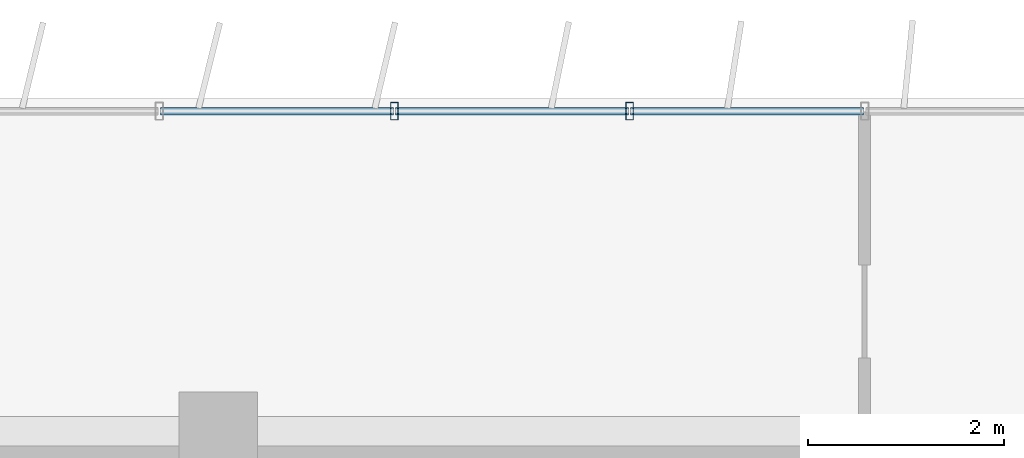
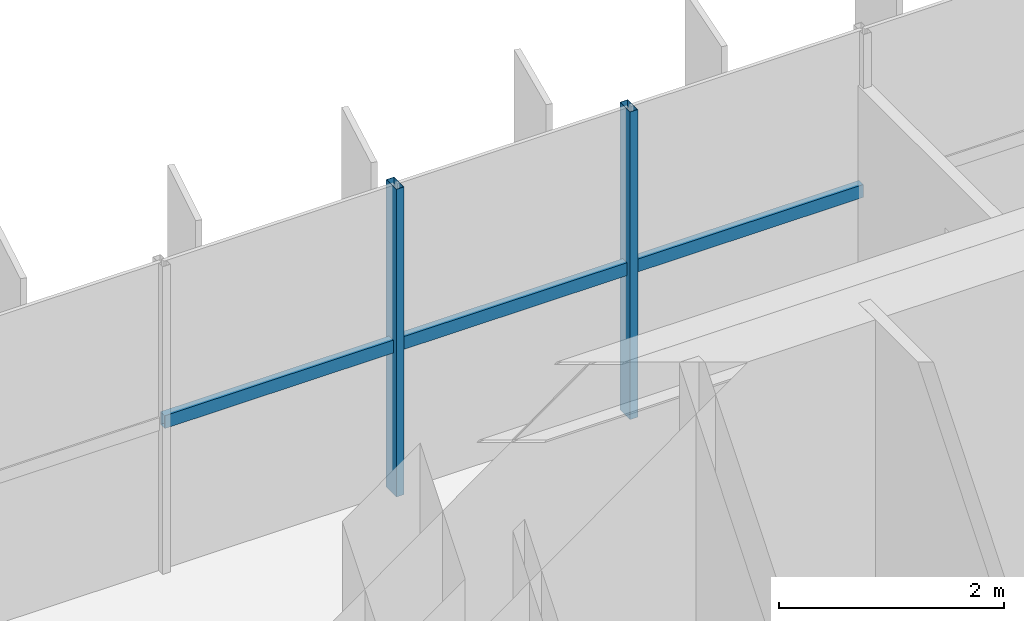
# One storey, part 7 of 22: 5 members, 1 element without a shape of its own.
"""IFC4 building model written with IfcOpenShell, lengths in metres."""

from ifc_helpers import new_model, si_unit, direction, frame, origin, origin_2d, place, context, subcontext, project, spatial, hollow_rectangle, extrude, source, transform, mapped, material, material_profile, profile_set, type_object, element, aggregate, save


model = new_model("IFC4")

# Units and contexts
model_context = context("Model", 3, precision=1e-05, world=origin(), true_north=direction((0.0, 1.0)))
body_context = subcontext(model_context, "Body", "Model", "MODEL_VIEW")
ifc_project = project(units=[si_unit("LENGTHUNIT", "METRE"), si_unit("AREAUNIT", "SQUARE_METRE"), si_unit("VOLUMEUNIT", "CUBIC_METRE"), si_unit("PLANEANGLEUNIT", "RADIAN"), si_unit("MASSUNIT", "GRAM", prefix="KILO")], contexts=[model_context])

# Site, building, storey
site_placement = place(None, origin())
site = spatial("IfcSite", under=ifc_project, at=site_placement, CompositionType="ELEMENT")
building_placement = place(site_placement, origin())
building = spatial("IfcBuilding", under=site, at=building_placement, Name="Trelvane Seafront Commons", CompositionType="ELEMENT")
storey_placement = place(building_placement, frame((0.0, 0.0, 121.300048828125)))
storey = spatial("IfcBuildingStorey", under=building, at=storey_placement, Name="L31", CompositionType="ELEMENT", Elevation=121.300048828125)

# Curtain wall, members
ifc_material = material(Name="Anodised pale-silver aluminium", Category="aluminium")
curtain_wall_type = type_object("IfcCurtainWallType", Name="ARCH-CW4-SKYLOBBY", PredefinedType="NOTDEFINED", material=ifc_material)
curtain_wall_placement = place(storey_placement, origin())
curtain_wall = element("IfcCurtainWall", 1, at=curtain_wall_placement, inside=storey, type_object=curtain_wall_type, Name="CW-L31-0056", PredefinedType="NOTDEFINED")
ifc_material_profile_1 = material_profile(ifc_material, hollow_rectangle(XDim=0.074951171875, YDim=0.139892578125, WallThickness=0.00390625, at=origin_2d()), Name="TRAN-75x140x4")
ifc_profile_set_1 = profile_set([ifc_material_profile_1], Name="Anodised pale-silver aluminium")
member_type_1 = type_object("IfcMemberType", Name="ARCH-CW-TRAN-140", PredefinedType="USERDEFINED", material=ifc_profile_set_1)
shared_shape_1 = source(origin(), body_context, "Body", "SweptSolid", [
    extrude(hollow_rectangle(XDim=0.074951171875, YDim=0.139892578125, WallThickness=0.00390625, at=origin_2d()), origin(), (0.0, 0.0, 1.0), 2.3759765625),
])
member_1_placement = place(storey_placement, frame((30.011962890625, 48.3701171875, 1.60302734375), z_axis=(1.0, 0.0, 0.0), x_axis=(0.0, 1.0, 0.0)))
member_1 = element("IfcMember", 2, at=member_1_placement, type_object=member_type_1, Name="CW-L31-0056-T06", ObjectType="TRANSOM", PredefinedType="USERDEFINED", context=body_context, shape_type="MappedRepresentation", body=[
    mapped(shared_shape_1, transform((0.0, 0.0, 0.0), x_axis=(1.0, 0.0, 0.0), y_axis=(0.0, 1.0, 0.0), z_axis=(0.0, 0.0, 1.0), scale=1.0)),
])
member_2_placement = place(storey_placement, frame((32.412109375, 48.3701171875, 1.60302734375), z_axis=(1.0, 0.0, 0.0), x_axis=(0.0, 1.0, 0.0)))
member_2 = element("IfcMember", 3, at=member_2_placement, type_object=member_type_1, Name="CW-L31-0056-T07", ObjectType="TRANSOM", PredefinedType="USERDEFINED", context=body_context, shape_type="MappedRepresentation", body=[
    mapped(shared_shape_1, transform((0.0, 0.0, 0.0), x_axis=(1.0, 0.0, 0.0), y_axis=(0.0, 1.0, 0.0), z_axis=(0.0, 0.0, 1.0), scale=1.0)),
])
member_3_placement = place(storey_placement, frame((34.81201171875, 48.3701171875, 1.60302734375), z_axis=(1.0, 0.0, 0.0), x_axis=(0.0, 1.0, 0.0)))
member_3 = element("IfcMember", 4, at=member_3_placement, type_object=member_type_1, Name="CW-L31-0056-T08", ObjectType="TRANSOM", PredefinedType="USERDEFINED", context=body_context, shape_type="MappedRepresentation", body=[
    mapped(shared_shape_1, transform((0.0, 0.0, 0.0), x_axis=(1.0, 0.0, 0.0), y_axis=(0.0, 1.0, 0.0), z_axis=(0.0, 0.0, 1.0), scale=1.0)),
])
ifc_material_profile_2 = material_profile(ifc_material, hollow_rectangle(XDim=0.080078125, YDim=0.179931640625, WallThickness=0.00439453125, at=origin_2d()), Name="MULL-80x180x4.5")
ifc_profile_set_2 = profile_set([ifc_material_profile_2], Name="Anodised pale-silver aluminium")
member_type_2 = type_object("IfcMemberType", Name="ARCH-CW-MULL-180", PredefinedType="MULLION", material=ifc_profile_set_2)
shared_shape_2 = source(origin(), body_context, "Body", "SweptSolid", [
    extrude(hollow_rectangle(XDim=0.080078125, YDim=0.179931640625, WallThickness=0.00439453125, at=origin_2d()), origin(), (0.0, 0.0, 1.0), 3.33984375),
])
member_4_placement = place(storey_placement, frame((32.39990234375, 48.3701171875, 0.0), z_axis=(0.0, 0.0, 1.0), x_axis=(1.0, 0.0, 0.0)))
member_4 = element("IfcMember", 5, at=member_4_placement, type_object=member_type_2, Name="CW-L31-0056-M07", PredefinedType="MULLION", context=body_context, shape_type="MappedRepresentation", body=[
    mapped(shared_shape_2, transform((0.0, 0.0, 0.0), x_axis=(1.0, 0.0, 0.0), y_axis=(0.0, 1.0, 0.0), z_axis=(0.0, 0.0, 1.0), scale=1.0)),
])
member_5_placement = place(storey_placement, frame((34.800048828125, 48.3701171875, 0.0), z_axis=(0.0, 0.0, 1.0), x_axis=(1.0, 0.0, 0.0)))
member_5 = element("IfcMember", 6, at=member_5_placement, type_object=member_type_2, Name="CW-L31-0056-M08", PredefinedType="MULLION", context=body_context, shape_type="MappedRepresentation", body=[
    mapped(shared_shape_2, transform((0.0, 0.0, 0.0), x_axis=(1.0, 0.0, 0.0), y_axis=(0.0, 1.0, 0.0), z_axis=(0.0, 0.0, 1.0), scale=1.0)),
])
aggregate(curtain_wall, [member_4, member_5, member_1, member_2, member_3])

save(model, "model.ifc")
